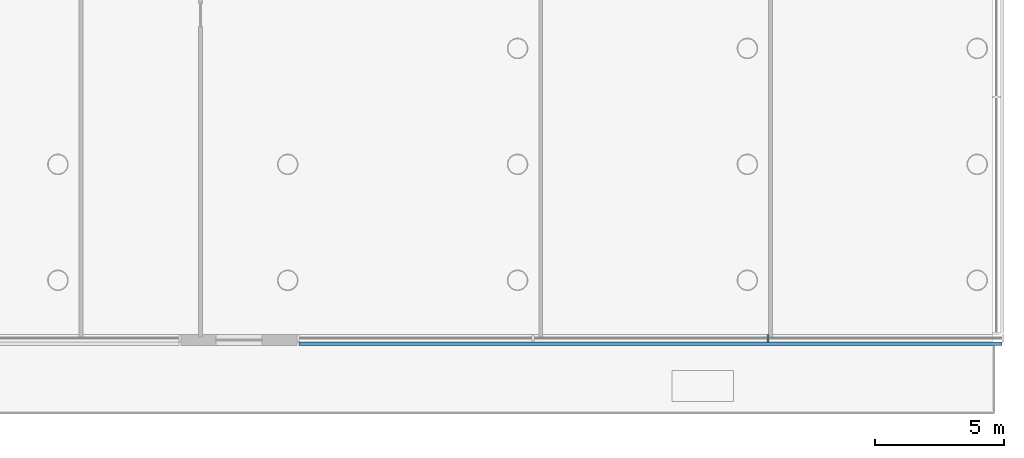
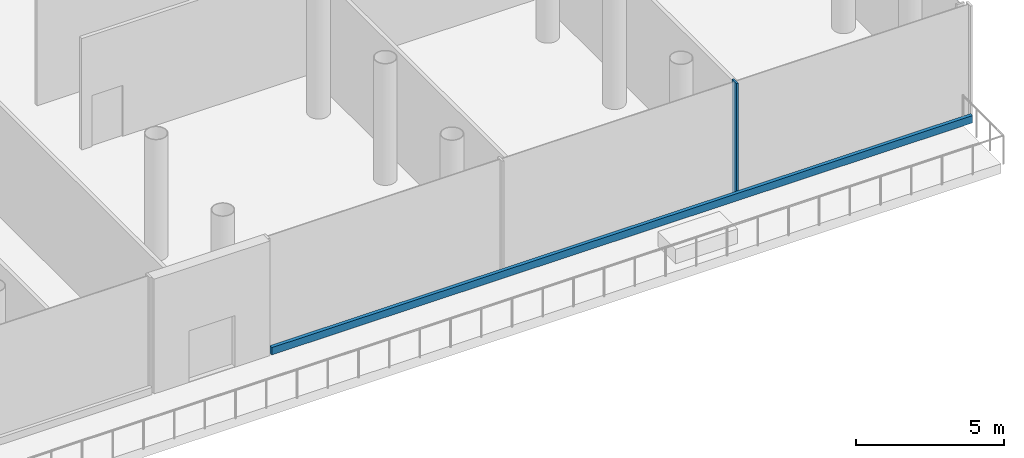
# One storey, part 9 of 59: 2 members, 1 element without a shape of its own.
"""IFC4 building model written with IfcOpenShell, lengths in metres."""

from ifc_helpers import new_model, si_unit, direction, frame, origin, origin_2d, place, context, subcontext, project, spatial, rectangle, extrude, material, layer, layer_set, material_profile, profile_set, type_object, element, aggregate, save


model = new_model("IFC4")

# Units and contexts
model_context = context("Model", 3, precision=1e-05, world=origin(), true_north=direction((0.0, 1.0)))
body_context = subcontext(model_context, "Body", "Model", "MODEL_VIEW")
ifc_project = project(units=[si_unit("LENGTHUNIT", "METRE"), si_unit("AREAUNIT", "SQUARE_METRE"), si_unit("VOLUMEUNIT", "CUBIC_METRE"), si_unit("PLANEANGLEUNIT", "RADIAN"), si_unit("MASSUNIT", "GRAM", prefix="KILO")], contexts=[model_context])

# Site, building, storey
site_placement = place(None, origin())
site = spatial("IfcSite", under=ifc_project, at=site_placement, CompositionType="ELEMENT")
building_placement = place(site_placement, origin())
building = spatial("IfcBuilding", under=site, at=building_placement, Name="Ipe Terrace Towers", CompositionType="ELEMENT")
storey_placement = place(building_placement, frame((0.0, 0.0, 6.0)))
storey = spatial("IfcBuildingStorey", under=building, at=storey_placement, Name="L01", CompositionType="ELEMENT", Elevation=6.0)

# Curtain wall, members
ifc_material_1 = material(Name="Aluminium alloy 6063-T6", Category="aluminium")
ifc_layer = layer(ifc_material_1, 0.43994140625)
ifc_layer_set = layer_set([ifc_layer], Name="PODIUM GLAZING CURTAIN WALL")
curtain_wall_type = type_object("IfcCurtainWallType", Name="PODIUM GLAZING CURTAIN WALL", PredefinedType="NOTDEFINED", material=ifc_layer_set)
curtain_wall_placement = place(storey_placement, origin())
curtain_wall = element("IfcCurtainWall", 1, at=curtain_wall_placement, inside=storey, type_object=curtain_wall_type, Name="POD-CW-L01-03f curtain wall", PredefinedType="NOTDEFINED")
ifc_material_2 = material(Name="Aluminium alloy 6063-T6", Category="aluminium")
ifc_material_profile_1 = material_profile(ifc_material_2, rectangle(XDim=0.300048828125, YDim=0.080078125, at=origin_2d()), Name="PODIUM GLAZING MULLION 300 x 80")
ifc_profile_set_1 = profile_set([ifc_material_profile_1], Name="Aluminium alloy 6063-T6")
member_type_1 = type_object("IfcMemberType", Name="PODIUM GLAZING MULLION 300 x 80", PredefinedType="MULLION", material=ifc_profile_set_1)
member_1_placement = place(storey_placement, frame((56.530029296875, -39.89990234375, -0.02001953125), z_axis=(0.0, 0.0, 1.0), x_axis=(0.0, -1.0, 0.0)))
member_1 = element("IfcMember", 2, at=member_1_placement, type_object=member_type_1, Name="POD-CW-L01-03f mullion 3", PredefinedType="MULLION", context=body_context, shape_type="SweptSolid", body=[
    extrude(rectangle(XDim=0.300048828125, YDim=0.080078125, at=origin_2d()), origin(), (0.0, 0.0, 1.0), 4.719970703125),
])
ifc_material_3 = material(Name="Aluminium alloy 6063-T6", Category="aluminium")
ifc_material_profile_2 = material_profile(ifc_material_3, rectangle(XDim=0.139892578125, YDim=0.300048828125, at=origin_2d()), Name="PODIUM GLAZING TRANSOM 140 x 300")
ifc_profile_set_2 = profile_set([ifc_material_profile_2], Name="Aluminium alloy 6063-T6")
member_type_2 = type_object("IfcMemberType", Name="PODIUM GLAZING TRANSOM 140 x 300", PredefinedType="USERDEFINED", material=ifc_profile_set_2)
member_2_placement = place(storey_placement, frame((38.330078125, -40.1201171875, 0.1298828125), z_axis=(1.0, 0.0, 0.0), x_axis=(0.0, -1.0, 0.0)))
member_2 = element("IfcMember", 3, at=member_2_placement, type_object=member_type_2, Name="POD-CW-L01-03f transom", ObjectType="TRANSOM", PredefinedType="USERDEFINED", context=body_context, shape_type="SweptSolid", body=[
    extrude(rectangle(XDim=0.139892578125, YDim=0.300048828125, at=origin_2d()), origin(), (0.0, 0.0, 1.0), 27.280029296875),
])
aggregate(curtain_wall, [member_1, member_2])

save(model, "model.ifc")
